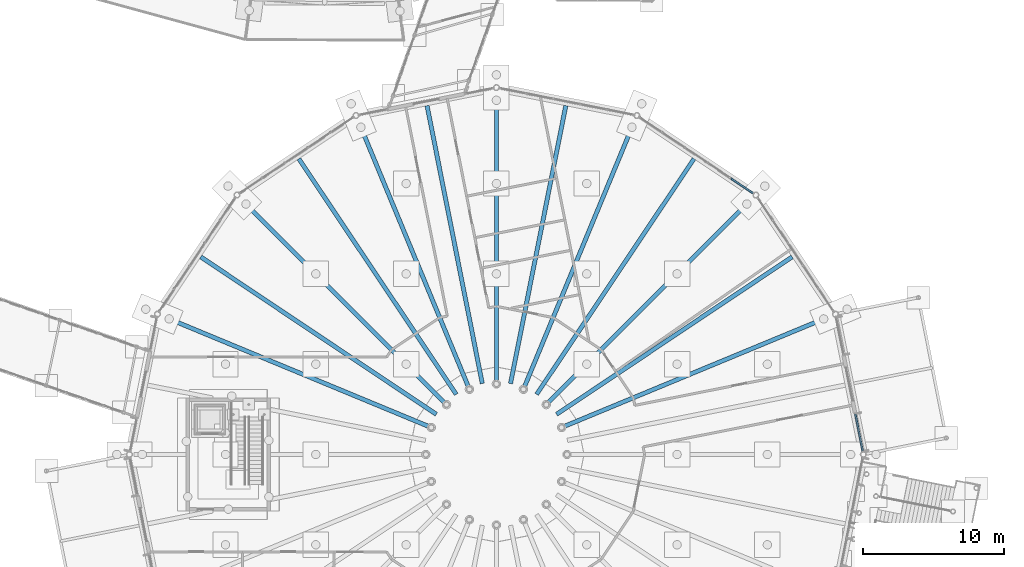
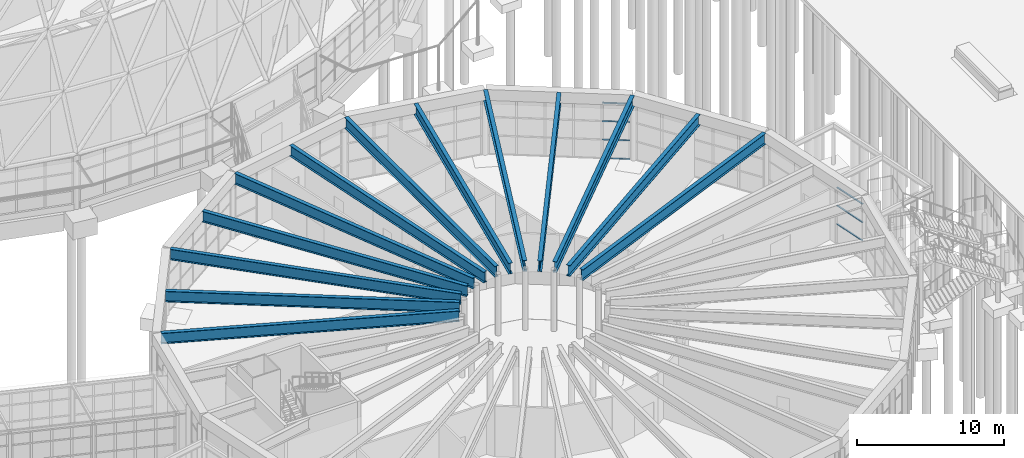
# One storey, part 93 of 226: 13 beams, 7 members, 2 elements without a shape of their own.
"""IFC4 building model written with IfcOpenShell, lengths in metres."""

from ifc_helpers import new_model, si_unit, direction, frame, origin, origin_2d, place, context, subcontext, project, spatial, rectangle, i_section, extrude, material, material_profile, profile_set, type_object, element, aggregate, save


model = new_model("IFC4")

# Units and contexts
model_context = context("Model", 3, precision=1e-05, world=origin(), true_north=direction((0.0, 1.0)))
body_context = subcontext(model_context, "Body", "Model", "MODEL_VIEW")
ifc_project = project(units=[si_unit("LENGTHUNIT", "METRE"), si_unit("AREAUNIT", "SQUARE_METRE"), si_unit("VOLUMEUNIT", "CUBIC_METRE"), si_unit("PLANEANGLEUNIT", "RADIAN"), si_unit("MASSUNIT", "GRAM", prefix="KILO")], contexts=[model_context])

# Site, building, storey
site_placement = place(None, origin())
site = spatial("IfcSite", under=ifc_project, at=site_placement, CompositionType="ELEMENT")
building_placement = place(site_placement, origin())
building = spatial("IfcBuilding", under=site, at=building_placement, Name="Ceibo Conservatory and Research Tower", CompositionType="ELEMENT")
storey_placement = place(building_placement, origin())
storey = spatial("IfcBuildingStorey", under=building, at=storey_placement, Name="L00", CompositionType="ELEMENT", Elevation=0.0)

# Curtain wall, members
ifc_material_1 = material(Name="Aluminium and glass", Category="aluminium")
curtain_wall_type = type_object("IfcCurtainWallType", Name="Pavilion curtain wall", PredefinedType="NOTDEFINED", material=ifc_material_1)
curtain_wall_1_placement = place(storey_placement, origin())
curtain_wall_1 = element("IfcCurtainWall", 1, at=curtain_wall_1_placement, inside=storey, type_object=curtain_wall_type, Name="Pavilion curtain wall VC-CW01W", PredefinedType="NOTDEFINED")
ifc_material_2 = material(Name="Aluminium", Category="aluminium")
ifc_material_profile_1 = material_profile(ifc_material_2, rectangle(XDim=0.1201171875, YDim=0.06005859375, at=origin_2d()), Name="AL 60x120")
ifc_profile_set_1 = profile_set([ifc_material_profile_1], Name="Aluminium")
member_type = type_object("IfcMemberType", Name="Pavilion transom 60x120", PredefinedType="USERDEFINED", material=ifc_profile_set_1)
member_1_placement = place(storey_placement, frame((193.94873046875, 36.258056640625, 1.5810546875), z_axis=(-0.195088165617, 0.980785709335, 0.0), x_axis=(-0.980785709335, -0.195088165617, 0.0)))
member_1 = element("IfcMember", 2, at=member_1_placement, type_object=member_type, Name="VC-CW01W transom 1.2", ObjectType="TRANSOM", PredefinedType="USERDEFINED", context=body_context, shape_type="SweptSolid", body=[
    extrude(rectangle(XDim=0.1201171875, YDim=0.06005859375, at=origin_2d()), origin(), (0.0, 0.0, 1.0), 2.6494140625),
])
member_2_placement = place(storey_placement, frame((193.94873046875, 36.258056640625, 3.114990234375), z_axis=(-0.195088165617, 0.980785709335, 0.0), x_axis=(-0.980785709335, -0.195088165617, 0.0)))
member_2 = element("IfcMember", 3, at=member_2_placement, type_object=member_type, Name="VC-CW01W transom 1.3", ObjectType="TRANSOM", PredefinedType="USERDEFINED", context=body_context, shape_type="SweptSolid", body=[
    extrude(rectangle(XDim=0.1201171875, YDim=0.06005859375, at=origin_2d()), origin(), (0.0, 0.0, 1.0), 2.6494140625),
])
member_3_placement = place(storey_placement, frame((193.94873046875, 36.258056640625, 4.618896484375), z_axis=(-0.195088165617, 0.980785709335, 0.0), x_axis=(-0.980785709335, -0.195088165617, 0.0)))
member_3 = element("IfcMember", 4, at=member_3_placement, type_object=member_type, Name="VC-CW01W transom 1.4", ObjectType="TRANSOM", PredefinedType="USERDEFINED", context=body_context, shape_type="SweptSolid", body=[
    extrude(rectangle(XDim=0.1201171875, YDim=0.06005859375, at=origin_2d()), origin(), (0.0, 0.0, 1.0), 2.6494140625),
])
aggregate(curtain_wall_1, [member_1, member_2, member_3])

curtain_wall_2_placement = place(storey_placement, origin())
curtain_wall_2 = element("IfcCurtainWall", 5, at=curtain_wall_2_placement, inside=storey, type_object=curtain_wall_type, Name="Pavilion curtain wall VC-CW03", PredefinedType="NOTDEFINED")
member_4_placement = place(storey_placement, frame((186.166015625, 54.531005859375, 0.030029296875), z_axis=(-0.831503986606, 0.555518784793, 0.0), x_axis=(-0.555518784793, -0.831503986606, 0.0)))
member_4 = element("IfcMember", 6, at=member_4_placement, type_object=member_type, Name="VC-CW03 transom 1.1", ObjectType="TRANSOM", PredefinedType="USERDEFINED", context=body_context, shape_type="SweptSolid", body=[
    extrude(rectangle(XDim=0.1201171875, YDim=0.06005859375, at=origin_2d()), origin(), (0.0, 0.0, 1.0), 1.857666015625),
])
member_5_placement = place(storey_placement, frame((186.166015625, 54.531005859375, 1.5810546875), z_axis=(-0.831503986606, 0.555518784793, 0.0), x_axis=(-0.555518784793, -0.831503986606, 0.0)))
member_5 = element("IfcMember", 7, at=member_5_placement, type_object=member_type, Name="VC-CW03 transom 1.2", ObjectType="TRANSOM", PredefinedType="USERDEFINED", context=body_context, shape_type="SweptSolid", body=[
    extrude(rectangle(XDim=0.1201171875, YDim=0.06005859375, at=origin_2d()), origin(), (0.0, 0.0, 1.0), 1.857666015625),
])
member_6_placement = place(storey_placement, frame((186.166015625, 54.531005859375, 3.114990234375), z_axis=(-0.831503986606, 0.555518784793, 0.0), x_axis=(-0.555518784793, -0.831503986606, 0.0)))
member_6 = element("IfcMember", 8, at=member_6_placement, type_object=member_type, Name="VC-CW03 transom 1.3", ObjectType="TRANSOM", PredefinedType="USERDEFINED", context=body_context, shape_type="SweptSolid", body=[
    extrude(rectangle(XDim=0.1201171875, YDim=0.06005859375, at=origin_2d()), origin(), (0.0, 0.0, 1.0), 1.857666015625),
])
member_7_placement = place(storey_placement, frame((186.166015625, 54.531005859375, 4.618896484375), z_axis=(-0.831503986606, 0.555518784793, 0.0), x_axis=(-0.555518784793, -0.831503986606, 0.0)))
member_7 = element("IfcMember", 9, at=member_7_placement, type_object=member_type, Name="VC-CW03 transom 1.4", ObjectType="TRANSOM", PredefinedType="USERDEFINED", context=body_context, shape_type="SweptSolid", body=[
    extrude(rectangle(XDim=0.1201171875, YDim=0.06005859375, at=origin_2d()), origin(), (0.0, 0.0, 1.0), 1.857666015625),
])
aggregate(curtain_wall_2, [member_4, member_5, member_6, member_7])

# Beams
ifc_material_3 = material(Name="Steel S355J2", Category="steel")
ifc_material_profile_2 = material_profile(ifc_material_3, i_section(OverallWidth=0.300048828125, OverallDepth=0.89990234375, WebThickness=0.011962890625, FlangeThickness=0.02490234375, at=origin_2d()), Name="PG 900x300")
ifc_profile_set_2 = profile_set([ifc_material_profile_2], Name="Steel S355J2")
beam_type = type_object("IfcBeamType", Name="pavilion radial roof beam PG 900x300", PredefinedType="BEAM", material=ifc_profile_set_2)
beam_1_placement = place(storey_placement, frame((172.802490234375, 37.9892578125, 5.09912109375), z_axis=(0.923878219582, 0.38268660204, 0.0), x_axis=(-0.38268660204, 0.923878219582, 0.0)))
element("IfcBeam", 10, at=beam_1_placement, inside=storey, type_object=beam_type, Name="Radial roof beam VC-RR03", PredefinedType="BEAM", context=body_context, shape_type="SweptSolid", body=[
    extrude(i_section(OverallWidth=0.300048828125, OverallDepth=0.89990234375, WebThickness=0.011962890625, FlangeThickness=0.02490234375, at=origin_2d()), origin(), (0.0, 0.0, 1.0), 20.5009765625),
])
beam_2_placement = place(storey_placement, frame((172.263427734375, 38.8486328125, 5.09912109375), z_axis=(0.831466169506, 0.555575385494, 0.0), x_axis=(-0.555575385494, 0.831466169506, 0.0)))
element("IfcBeam", 11, at=beam_2_placement, inside=storey, type_object=beam_type, Name="Radial roof beam VC-RR04", PredefinedType="BEAM", context=body_context, shape_type="SweptSolid", body=[
    extrude(i_section(OverallWidth=0.300048828125, OverallDepth=0.89990234375, WebThickness=0.011962890625, FlangeThickness=0.02490234375, at=origin_2d()), origin(), (0.0, 0.0, 1.0), 20.077880859375),
])
beam_3_placement = place(storey_placement, frame((171.67578125, 39.67578125, 5.09912109375), z_axis=(0.707106781187, 0.707106781187, 0.0), x_axis=(-0.707106781187, 0.707106781187, 0.0)))
element("IfcBeam", 12, at=beam_3_placement, inside=storey, type_object=beam_type, Name="Radial roof beam VC-RR05", PredefinedType="BEAM", context=body_context, shape_type="SweptSolid", body=[
    extrude(i_section(OverallWidth=0.300048828125, OverallDepth=0.89990234375, WebThickness=0.011962890625, FlangeThickness=0.02490234375, at=origin_2d()), origin(), (0.0, 0.0, 1.0), 20.5009765625),
])
beam_4_placement = place(storey_placement, frame((170.8486328125, 40.263427734375, 5.09912109375), z_axis=(0.555575385494, 0.831466169506, 0.0), x_axis=(-0.831466169506, 0.555575385494, 0.0)))
element("IfcBeam", 13, at=beam_4_placement, inside=storey, type_object=beam_type, Name="Radial roof beam VC-RR06", PredefinedType="BEAM", context=body_context, shape_type="SweptSolid", body=[
    extrude(i_section(OverallWidth=0.300048828125, OverallDepth=0.89990234375, WebThickness=0.011962890625, FlangeThickness=0.02490234375, at=origin_2d()), origin(), (0.0, 0.0, 1.0), 20.077880859375),
])
beam_5_placement = place(storey_placement, frame((169.9892578125, 40.802490234375, 5.09912109375), z_axis=(0.38268660204, 0.923878219582, 0.0), x_axis=(-0.923878219582, 0.38268660204, 0.0)))
element("IfcBeam", 14, at=beam_5_placement, inside=storey, type_object=beam_type, Name="Radial roof beam VC-RR07", PredefinedType="BEAM", context=body_context, shape_type="SweptSolid", body=[
    extrude(i_section(OverallWidth=0.300048828125, OverallDepth=0.89990234375, WebThickness=0.011962890625, FlangeThickness=0.02490234375, at=origin_2d()), origin(), (0.0, 0.0, 1.0), 20.5009765625),
])
beam_6_placement = place(storey_placement, frame((169.000244140625, 41.029052734375, 5.09912109375), z_axis=(0.195089472351, 0.980785449412, 0.0), x_axis=(-0.980785449412, 0.195089472351, 0.0)))
element("IfcBeam", 15, at=beam_6_placement, inside=storey, type_object=beam_type, Name="Radial roof beam VC-RR08", PredefinedType="BEAM", context=body_context, shape_type="SweptSolid", body=[
    extrude(i_section(OverallWidth=0.300048828125, OverallDepth=0.89990234375, WebThickness=0.011962890625, FlangeThickness=0.02490234375, at=origin_2d()), origin(), (0.0, 0.0, 1.0), 20.077880859375),
])
beam_7_placement = place(storey_placement, frame((168.0, 41.1982421875, 5.09912109375), z_axis=(0.0, 1.0, 0.0), x_axis=(-1.0, 0.0, 0.0)))
element("IfcBeam", 16, at=beam_7_placement, inside=storey, type_object=beam_type, Name="Radial roof beam VC-RR09", PredefinedType="BEAM", context=body_context, shape_type="SweptSolid", body=[
    extrude(i_section(OverallWidth=0.300048828125, OverallDepth=0.89990234375, WebThickness=0.011962890625, FlangeThickness=0.02490234375, at=origin_2d()), origin(), (0.0, 0.0, 1.0), 20.5009765625),
])
beam_8_placement = place(storey_placement, frame((166.999755859375, 41.029052734375, 5.09912109375), z_axis=(-0.195089472351, 0.980785449412, 0.0), x_axis=(-0.980785449412, -0.195089472351, 0.0)))
element("IfcBeam", 17, at=beam_8_placement, inside=storey, type_object=beam_type, Name="Radial roof beam VC-RR10", PredefinedType="BEAM", context=body_context, shape_type="SweptSolid", body=[
    extrude(i_section(OverallWidth=0.300048828125, OverallDepth=0.89990234375, WebThickness=0.011962890625, FlangeThickness=0.02490234375, at=origin_2d()), origin(), (0.0, 0.0, 1.0), 20.077880859375),
])
beam_9_placement = place(storey_placement, frame((166.0107421875, 40.802490234375, 5.09912109375), z_axis=(-0.38268660204, 0.923878219582, 0.0), x_axis=(-0.923878219582, -0.38268660204, 0.0)))
element("IfcBeam", 18, at=beam_9_placement, inside=storey, type_object=beam_type, Name="Radial roof beam VC-RR11", PredefinedType="BEAM", context=body_context, shape_type="SweptSolid", body=[
    extrude(i_section(OverallWidth=0.300048828125, OverallDepth=0.89990234375, WebThickness=0.011962890625, FlangeThickness=0.02490234375, at=origin_2d()), origin(), (0.0, 0.0, 1.0), 20.5009765625),
])
beam_10_placement = place(storey_placement, frame((165.1513671875, 40.263427734375, 5.09912109375), z_axis=(-0.555575385494, 0.831466169506, 0.0), x_axis=(-0.831466169506, -0.555575385494, 0.0)))
element("IfcBeam", 19, at=beam_10_placement, inside=storey, type_object=beam_type, Name="Radial roof beam VC-RR12", PredefinedType="BEAM", context=body_context, shape_type="SweptSolid", body=[
    extrude(i_section(OverallWidth=0.300048828125, OverallDepth=0.89990234375, WebThickness=0.011962890625, FlangeThickness=0.02490234375, at=origin_2d()), origin(), (0.0, 0.0, 1.0), 20.077880859375),
])
beam_11_placement = place(storey_placement, frame((164.32421875, 39.67578125, 5.09912109375), z_axis=(-0.707106781187, 0.707106781187, 0.0), x_axis=(-0.707106781187, -0.707106781187, 0.0)))
element("IfcBeam", 20, at=beam_11_placement, inside=storey, type_object=beam_type, Name="Radial roof beam VC-RR13", PredefinedType="BEAM", context=body_context, shape_type="SweptSolid", body=[
    extrude(i_section(OverallWidth=0.300048828125, OverallDepth=0.89990234375, WebThickness=0.011962890625, FlangeThickness=0.02490234375, at=origin_2d()), origin(), (0.0, 0.0, 1.0), 20.5009765625),
])
beam_12_placement = place(storey_placement, frame((163.736572265625, 38.8486328125, 5.09912109375), z_axis=(-0.831466169506, 0.555575385494, 0.0), x_axis=(-0.555575385494, -0.831466169506, 0.0)))
element("IfcBeam", 21, at=beam_12_placement, inside=storey, type_object=beam_type, Name="Radial roof beam VC-RR14", PredefinedType="BEAM", context=body_context, shape_type="SweptSolid", body=[
    extrude(i_section(OverallWidth=0.300048828125, OverallDepth=0.89990234375, WebThickness=0.011962890625, FlangeThickness=0.02490234375, at=origin_2d()), origin(), (0.0, 0.0, 1.0), 20.077880859375),
])
beam_13_placement = place(storey_placement, frame((163.197509765625, 37.9892578125, 5.09912109375), z_axis=(-0.923878219582, 0.38268660204, 0.0), x_axis=(-0.38268660204, -0.923878219582, 0.0)))
element("IfcBeam", 22, at=beam_13_placement, inside=storey, type_object=beam_type, Name="Radial roof beam VC-RR15", PredefinedType="BEAM", context=body_context, shape_type="SweptSolid", body=[
    extrude(i_section(OverallWidth=0.300048828125, OverallDepth=0.89990234375, WebThickness=0.011962890625, FlangeThickness=0.02490234375, at=origin_2d()), origin(), (0.0, 0.0, 1.0), 20.5009765625),
])

save(model, "model.ifc")
